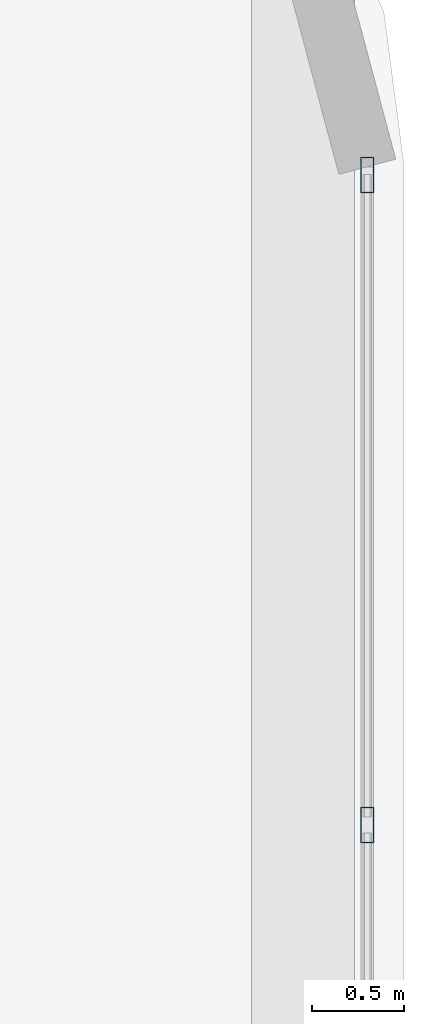
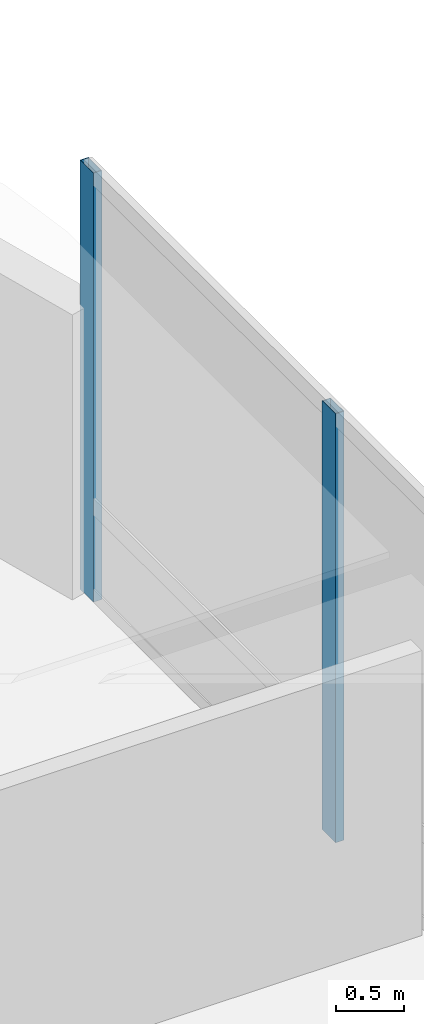
# One storey, part 24 of 41: 2 members, 1 element without a shape of its own.
"""IFC4 building model written with IfcOpenShell, lengths in metres."""

import ifcopenshell
import ifcopenshell.guid

model = None  # the IFC model being written
_history = None  # IfcOwnerHistory: only IFC2X3 demands one
_inside = {}  # id of a spatial element -> (the spatial element, [elements in it])
_under = {}  # id of a project, library or spatial element -> (it, [spatial elements below it])
_declared = {}  # id of a project -> (the project, [libraries it declares])
_typed = {}  # id of a type object -> (the type object, [elements of that type])
_made_of = {}  # id of a material, layer set ... -> (it, [elements and type objects made of it])


def new_model(schema):
    """Start an empty IFC model of exactly this schema.

    Asked for "IFC4X3", IfcOpenShell would pick the latest addendum, in which some entities
    have other attributes; the version numbers below select the first issue.
    IFC2X3 requires an IfcOwnerHistory on every rooted entity: one is made here for all.
    """
    global model, _history
    if schema == "IFC4X3":
        model = ifcopenshell.file(schema_version=(4, 3, 0, 0))
    else:
        model = ifcopenshell.file(schema=schema)
    _inside.clear()
    _under.clear()
    _declared.clear()
    _typed.clear()
    _made_of.clear()
    _history = None
    if model.schema == "IFC2X3":
        org = make("IfcOrganization", Name="unknown")
        user = make(
            "IfcPersonAndOrganization",
            ThePerson=make("IfcPerson", FamilyName="unknown"),
            TheOrganization=org,
        )
        app = make(
            "IfcApplication",
            ApplicationDeveloper=org,
            Version="unknown",
            ApplicationFullName="unknown",
            ApplicationIdentifier="unknown",
        )
        _history = make(
            "IfcOwnerHistory",
            OwningUser=user,
            OwningApplication=app,
            ChangeAction="ADDED",
            CreationDate=0,
        )
    return model


def make(cls, **values):
    """One entity of the class cls with the attributes given. An attribute that is None is left unset."""
    return model.create_entity(
        cls, **{name: value for name, value in values.items() if value is not None}
    )


def rooted(cls, **values):
    """An entity with a GlobalId (a new one), such as an element, a storey or a relation."""
    return make(cls, GlobalId=ifcopenshell.guid.new(), OwnerHistory=_history, **values)


def si_unit(unit_type, name, prefix=None):
    """IfcSIUnit, for example si_unit("LENGTHUNIT", "METRE", prefix="MILLI")."""
    return make("IfcSIUnit", UnitType=unit_type, Prefix=prefix, Name=name)


def assignment(units):
    """IfcUnitAssignment: the units of a project."""
    return None if units is None else make("IfcUnitAssignment", Units=units)


def point(xyz):
    """IfcCartesianPoint."""
    return None if xyz is None else make("IfcCartesianPoint", Coordinates=xyz)


def direction(xyz):
    """IfcDirection."""
    return None if xyz is None else make("IfcDirection", DirectionRatios=xyz)


def frame(location, z_axis=None, x_axis=None):
    """IfcAxis2Placement3D, a coordinate frame: its origin and axes. An axis left out is left unset."""
    return make(
        "IfcAxis2Placement3D",
        Location=point(location),
        Axis=direction(z_axis),
        RefDirection=direction(x_axis),
    )


def frame_2d(location, x_axis=None):
    """IfcAxis2Placement2D, a coordinate frame in the plane: its origin and x axis."""
    return make(
        "IfcAxis2Placement2D", Location=point(location), RefDirection=direction(x_axis)
    )


def origin():
    """The frame at (0, 0, 0) with its axes left unset."""
    return frame((0.0, 0.0, 0.0))


def origin_2d():
    """The frame at (0, 0) in the plane with its x axis left unset."""
    return frame_2d((0.0, 0.0))


def place(relative_to, where):
    """IfcLocalPlacement: puts the frame where relative to a parent placement (None: the world)."""
    return make(
        "IfcLocalPlacement", PlacementRelTo=relative_to, RelativePlacement=where
    )


def context(
    kind, dimensions, precision=None, world=None, true_north=None, identifier=None
):
    """IfcGeometricRepresentationContext, for example the 3D "Model" context."""
    return make(
        "IfcGeometricRepresentationContext",
        ContextIdentifier=identifier,
        ContextType=kind,
        CoordinateSpaceDimension=dimensions,
        Precision=precision,
        WorldCoordinateSystem=world,
        TrueNorth=true_north,
    )


def subcontext(parent, identifier, kind, view, scale=None):
    """IfcGeometricRepresentationSubContext, for example "Body" below "Model"."""
    return make(
        "IfcGeometricRepresentationSubContext",
        ContextIdentifier=identifier,
        ContextType=kind,
        ParentContext=parent,
        TargetScale=scale,
        TargetView=view,
    )


def project(units=None, contexts=None):
    """IfcProject with its units and contexts."""
    return rooted(
        "IfcProject",
        Name="project",
        RepresentationContexts=contexts,
        UnitsInContext=assignment(units),
    )


def spatial(cls, under=None, at=None, **own):
    """A site, building, storey or space (cls), placed at a placement, below another one or the project."""
    s = rooted(cls, ObjectPlacement=at, **own)
    if under is not None:
        _under.setdefault(under.id(), (under, []))[1].append(s)
    return s


def profile(cls, at=None, kind="AREA", **sizes):
    """A parametric profile (cls). Its sizes go by their IFC names, for example OverallWidth=200.0."""
    return make(cls, ProfileType=kind, Position=at, **sizes)


def hollow_rectangle(**sizes):
    """IfcRectangleHollowProfileDef."""
    return profile("IfcRectangleHollowProfileDef", **sizes)


def extrude(swept, where, along, depth):
    """IfcExtrudedAreaSolid: the profile swept, set in the frame where, extruded along a direction by depth."""
    return make(
        "IfcExtrudedAreaSolid",
        SweptArea=swept,
        Position=where,
        ExtrudedDirection=direction(along),
        Depth=depth,
    )


def shape(context_of_items, identifier, shape_type, items):
    """IfcShapeRepresentation: the items that make up one representation, for example the "Body"."""
    return make(
        "IfcShapeRepresentation",
        ContextOfItems=context_of_items,
        RepresentationIdentifier=identifier,
        RepresentationType=shape_type,
        Items=items,
    )


def material(Name=None, Category=None):
    """IfcMaterial."""
    return make("IfcMaterial", Name=Name, Category=Category)


def material_profile(
    of_material, cross_section, Name=None, Category=None, Priority=None
):
    """IfcMaterialProfile: a cross section and its material."""
    return make(
        "IfcMaterialProfile",
        Name=Name,
        Material=of_material,
        Profile=cross_section,
        Priority=Priority,
        Category=Category,
    )


def profile_set(profiles, Name=None, composite=None):
    """IfcMaterialProfileSet."""
    return make(
        "IfcMaterialProfileSet",
        Name=Name,
        MaterialProfiles=profiles,
        CompositeProfile=composite,
    )


def made_of(thing, what):
    """Note that an element or type object is made of a material, layer set ...; save() writes the relation."""
    if what is not None:
        _made_of.setdefault(what.id(), (what, []))[1].append(thing)
    return thing


def type_object(cls, material=None, **own):
    """A type object (cls), such as IfcWallType, which elements share."""
    return made_of(rooted(cls, **own), material)


def element(
    cls,
    number,
    at=None,
    inside=None,
    cuts=None,
    type_object=None,
    material=None,
    context=None,
    identifier="Body",
    shape_type=None,
    held_by="IfcProductDefinitionShape",
    body=None,
    shapes=None,
    **own,
):
    """One element of the class cls, such as IfcWall. Its Tag is "e" and its number.

    at: its placement. inside: the storey or other place that contains it. cuts: it is an
    opening in that element (IfcRelVoidsElement). A single representation is given by context,
    identifier, shape_type and body (its items); several are given by shapes. held_by: the class
    of the entity that holds the representations. save() writes the other relations.
    """
    e = rooted(cls, Tag="e%d" % number, ObjectPlacement=at, **own)
    if body is not None:
        shapes = [shape(context, identifier, shape_type, body)]
    if shapes is not None:
        e.Representation = make(held_by, Representations=shapes)
    if inside is not None:
        _inside.setdefault(inside.id(), (inside, []))[1].append(e)
    if cuts is not None:
        rooted(
            "IfcRelVoidsElement", RelatingBuildingElement=cuts, RelatedOpeningElement=e
        )
    if type_object is not None:
        _typed.setdefault(type_object.id(), (type_object, []))[1].append(e)
    return made_of(e, material)


def aggregate(whole, parts):
    """IfcRelAggregates: a whole, such as a stair, and the parts it consists of."""
    return rooted("IfcRelAggregates", RelatingObject=whole, RelatedObjects=parts)


def save(model, path):
    """Write the relations noted so far, then the file.

    IfcRelAggregates (storeys below a building ...), IfcRelContainedInSpatialStructure (elements
    in a storey), IfcRelDefinesByType, IfcRelAssociatesMaterial and IfcRelDeclares: one each for
    every whole, place, type object, material and project.
    """
    for whole, parts in _under.values():
        aggregate(whole, parts)
    for where, things in _inside.values():
        rooted(
            "IfcRelContainedInSpatialStructure",
            RelatedElements=things,
            RelatingStructure=where,
        )
    for kind, things in _typed.values():
        rooted("IfcRelDefinesByType", RelatedObjects=things, RelatingType=kind)
    for what, things in _made_of.values():
        rooted("IfcRelAssociatesMaterial", RelatedObjects=things, RelatingMaterial=what)
    for by, libraries in _declared.values():
        rooted("IfcRelDeclares", RelatingContext=by, RelatedDefinitions=libraries)
    model.write(path)


model = new_model("IFC4")

# Units and contexts
model_context = context("Model", 3, precision=1e-05, world=origin(), true_north=direction((0.0, 1.0)))
body_context = subcontext(model_context, "Body", "Model", "MODEL_VIEW")
ifc_project = project(units=[si_unit("LENGTHUNIT", "METRE"), si_unit("AREAUNIT", "SQUARE_METRE"), si_unit("VOLUMEUNIT", "CUBIC_METRE"), si_unit("PLANEANGLEUNIT", "RADIAN"), si_unit("MASSUNIT", "GRAM", prefix="KILO")], contexts=[model_context])

# Site, building, storey
site_placement = place(None, origin())
site = spatial("IfcSite", under=ifc_project, at=site_placement, CompositionType="ELEMENT")
building_placement = place(site_placement, origin())
building = spatial("IfcBuilding", under=site, at=building_placement, Name="Punatoya Terracotta Tower", CompositionType="ELEMENT")
storey_placement = place(building_placement, frame((0.0, 0.0, 220.800048828125)))
storey = spatial("IfcBuildingStorey", under=building, at=storey_placement, Name="L52", CompositionType="ELEMENT", Elevation=220.800048828125)

# Curtain wall, members
ifc_material_1 = material(Name="Aluminium 6063-T6 + Double Low-E Glass", Category="aluminium")
curtain_wall_type = type_object("IfcCurtainWallType", Name="CW-M2", PredefinedType="NOTDEFINED", material=ifc_material_1)
curtain_wall_placement = place(storey_placement, origin())
curtain_wall = element("IfcCurtainWall", 1, at=curtain_wall_placement, inside=storey, type_object=curtain_wall_type, Name="L52 Curtain Wall CW-L52-E04-1", PredefinedType="NOTDEFINED")
ifc_material_2 = material(Name="Aluminium 6063-T6", Category="aluminium")
ifc_material_profile = material_profile(ifc_material_2, hollow_rectangle(XDim=0.072021484375, YDim=0.195068359375, WallThickness=0.00439453125, at=origin_2d()))
ifc_profile_set = profile_set([ifc_material_profile], Name="Aluminium 6063-T6")
member_type = type_object("IfcMemberType", Name="CW-MUL-M2", PredefinedType="MULLION", material=ifc_profile_set)
member_1_placement = place(storey_placement, frame((24.85009765625, 11.849609375, 0.0), z_axis=(0.0, 0.0, 1.0), x_axis=(1.0, 0.0, 0.0)))
member_1 = element("IfcMember", 2, at=member_1_placement, type_object=member_type, Name="CW-L52-E04-1 Mullion 08", PredefinedType="MULLION", context=body_context, shape_type="SweptSolid", body=[
    extrude(hollow_rectangle(XDim=0.072021484375, YDim=0.195068359375, WallThickness=0.00439453125, at=origin_2d()), origin(), (0.0, 0.0, 1.0), 3.829833984375),
])
member_2_placement = place(storey_placement, frame((24.85009765625, 15.391845703125, 0.0), z_axis=(0.0, 0.0, 1.0), x_axis=(1.0, 0.0, 0.0)))
member_2 = element("IfcMember", 3, at=member_2_placement, type_object=member_type, Name="CW-L52-E04-1 Mullion 09", PredefinedType="MULLION", context=body_context, shape_type="SweptSolid", body=[
    extrude(hollow_rectangle(XDim=0.072021484375, YDim=0.195068359375, WallThickness=0.00439453125, at=origin_2d()), origin(), (0.0, 0.0, 1.0), 3.829833984375),
])
aggregate(curtain_wall, [member_1, member_2])

save(model, "model.ifc")
